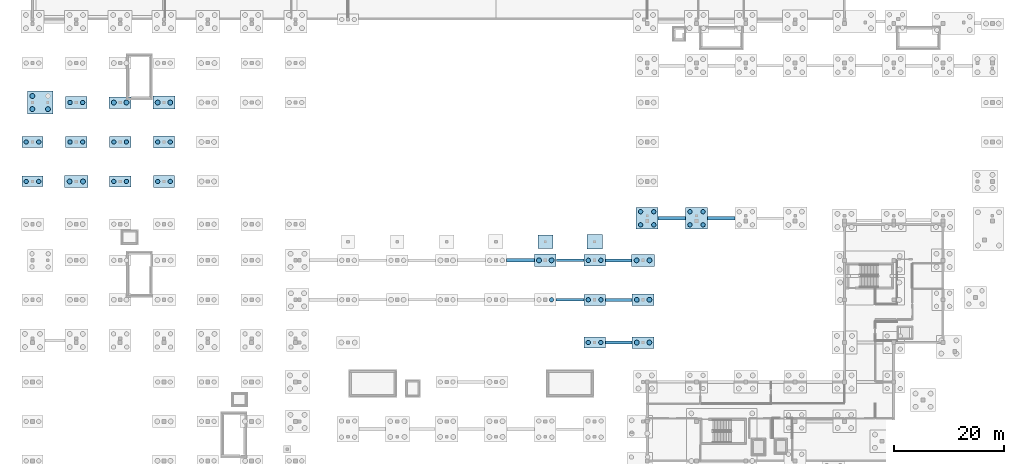
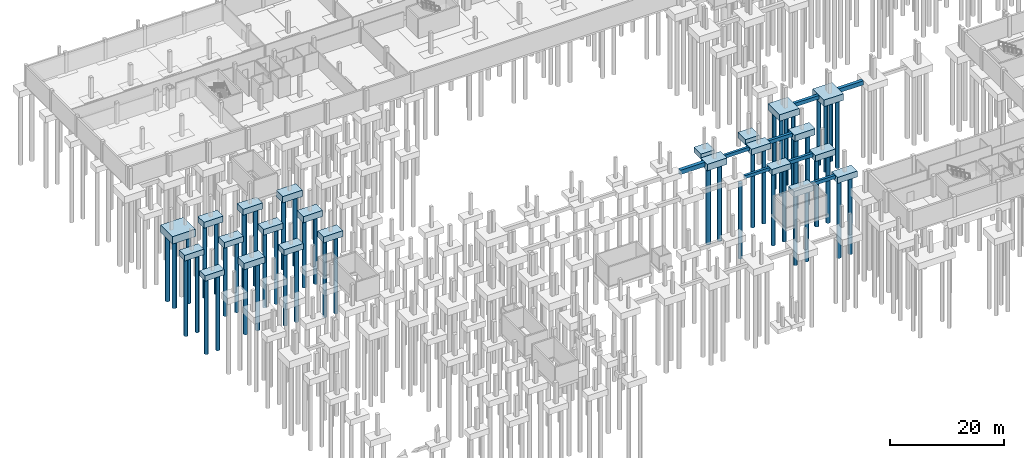
# One storey, part 5 of 36: 48 piles, 31 footings.
"""IFC4 building model written with IfcOpenShell, lengths in metres."""

from ifc_helpers import new_model, si_unit, direction, frame, origin, origin_2d, place, context, subcontext, project, spatial, rectangle, circle, extrude, material, layer, layer_set, material_profile, profile_set, type_object, element, save


model = new_model("IFC4")

# Units and contexts
model_context = context("Model", 3, precision=1e-05, world=origin(), true_north=direction((0.0, 1.0)))
body_context = subcontext(model_context, "Body", "Model", "MODEL_VIEW")
ifc_project = project(units=[si_unit("LENGTHUNIT", "METRE"), si_unit("AREAUNIT", "SQUARE_METRE"), si_unit("VOLUMEUNIT", "CUBIC_METRE"), si_unit("PLANEANGLEUNIT", "RADIAN"), si_unit("MASSUNIT", "GRAM", prefix="KILO")], contexts=[model_context])

# Site, building, storey
site_placement = place(None, origin())
site = spatial("IfcSite", under=ifc_project, at=site_placement, CompositionType="ELEMENT")
building_placement = place(site_placement, origin())
building = spatial("IfcBuilding", under=site, at=building_placement, Name="Chiffa Square Polytechnic", CompositionType="ELEMENT")
storey_placement = place(building_placement, frame((0.0, 0.0, -4.5)))
storey = spatial("IfcBuildingStorey", under=building, at=storey_placement, Name="B1", CompositionType="ELEMENT", Elevation=-4.5)

# Footings
ifc_material = material(Name="Concrete C35/45", Category="concrete")
ifc_layer_1 = layer(ifc_material, 0.68505859375, Name="Concrete C35/45")
ifc_layer_set_1 = layer_set([ifc_layer_1], Name="Concrete C35/45")
footing_type_1 = type_object("IfcFootingType", Name="FTG-BEAM-480X685", PredefinedType="FOOTING_BEAM", material=ifc_layer_set_1)
footing_1_placement = place(storey_placement, frame((98.10009765625, 43.800048828125, -0.685546875), z_axis=(0.0, 0.0, 1.0), x_axis=(1.0, 0.0, 0.0)))
element("IfcFooting", 1, at=footing_1_placement, inside=storey, type_object=footing_type_1, Name="Footing tie beam FB-B1-026", PredefinedType="FOOTING_BEAM", context=body_context, shape_type="SweptSolid", body=[
    extrude(rectangle(XDim=5.090087890625, YDim=0.47998046875, at=origin_2d()), origin(), (0.0, 0.0, 1.0), 0.68505859375),
])
ifc_layer_2 = layer(ifc_material, 0.7099609375, Name="Concrete C35/45")
ifc_layer_set_2 = layer_set([ifc_layer_2], Name="Concrete C35/45")
footing_type_2 = type_object("IfcFootingType", Name="FTG-BEAM-500X710", PredefinedType="FOOTING_BEAM", material=ifc_layer_set_2)
footing_2_placement = place(storey_placement, frame((98.125, 51.0, -0.7099609375), z_axis=(0.0, 0.0, 1.0), x_axis=(1.0, 0.0, 0.0)))
element("IfcFooting", 2, at=footing_2_placement, inside=storey, type_object=footing_type_2, Name="Footing tie beam FB-B1-027", PredefinedType="FOOTING_BEAM", context=body_context, shape_type="SweptSolid", body=[
    extrude(rectangle(XDim=5.0400390625, YDim=0.5, at=origin_2d()), origin(), (0.0, 0.0, 1.0), 0.7099609375),
])
ifc_layer_3 = layer(ifc_material, 0.735107421875, Name="Concrete C35/45")
ifc_layer_set_3 = layer_set([ifc_layer_3], Name="Concrete C35/45")
footing_type_3 = type_object("IfcFootingType", Name="FTG-BEAM-520X735", PredefinedType="FOOTING_BEAM", material=ifc_layer_set_3)
footing_3_placement = place(storey_placement, frame((107.0, 36.0, -0.734375), z_axis=(0.0, 0.0, 1.0), x_axis=(1.0, 0.0, 0.0)))
element("IfcFooting", 3, at=footing_3_placement, inside=storey, type_object=footing_type_3, Name="Footing tie beam FB-B1-028", PredefinedType="FOOTING_BEAM", context=body_context, shape_type="SweptSolid", body=[
    extrude(rectangle(XDim=4.889892578125, YDim=0.52001953125, at=origin_2d()), origin(), (0.0, 0.0, 1.0), 0.735107421875),
])
ifc_layer_4 = layer(ifc_material, 0.760009765625, Name="Concrete C35/45")
ifc_layer_set_4 = layer_set([ifc_layer_4], Name="Concrete C35/45")
footing_type_4 = type_object("IfcFootingType", Name="FTG-BEAM-540X760", PredefinedType="FOOTING_BEAM", material=ifc_layer_set_4)
footing_4_placement = place(storey_placement, frame((106.988037109375, 43.800048828125, -0.759765625), z_axis=(0.0, 0.0, 1.0), x_axis=(1.0, 0.0, 0.0)))
element("IfcFooting", 4, at=footing_4_placement, inside=storey, type_object=footing_type_4, Name="Footing tie beam FB-B1-029", PredefinedType="FOOTING_BEAM", context=body_context, shape_type="SweptSolid", body=[
    extrude(rectangle(XDim=4.864990234375, YDim=0.5400390625, at=origin_2d()), origin(), (0.0, 0.0, 1.0), 0.760009765625),
])
ifc_layer_5 = layer(ifc_material, 0.784912109375, Name="Concrete C35/45")
ifc_layer_set_5 = layer_set([ifc_layer_5], Name="Concrete C35/45")
footing_type_5 = type_object("IfcFootingType", Name="FTG-BEAM-560X785", PredefinedType="FOOTING_BEAM", material=ifc_layer_set_5)
footing_5_placement = place(storey_placement, frame((106.962890625, 51.0, -0.78564453125), z_axis=(0.0, 0.0, 1.0), x_axis=(1.0, 0.0, 0.0)))
element("IfcFooting", 5, at=footing_5_placement, inside=storey, type_object=footing_type_5, Name="Footing tie beam FB-B1-030", PredefinedType="FOOTING_BEAM", context=body_context, shape_type="SweptSolid", body=[
    extrude(rectangle(XDim=4.81494140625, YDim=0.56005859375, at=origin_2d()), origin(), (0.0, 0.0, 1.0), 0.784912109375),
])
ifc_layer_6 = layer(ifc_material, 0.81005859375, Name="Concrete C35/45")
ifc_layer_set_6 = layer_set([ifc_layer_6], Name="Concrete C35/45")
footing_type_6 = type_object("IfcFootingType", Name="FTG-BEAM-580X810", PredefinedType="FOOTING_BEAM", material=ifc_layer_set_6)
footing_6_placement = place(storey_placement, frame((116.699951171875, 58.675048828125, -0.81005859375), z_axis=(0.0, 0.0, 1.0), x_axis=(1.0, 0.0, 0.0)))
element("IfcFooting", 6, at=footing_6_placement, inside=storey, type_object=footing_type_6, Name="Footing tie beam FB-B1-031", PredefinedType="FOOTING_BEAM", context=body_context, shape_type="SweptSolid", body=[
    extrude(rectangle(XDim=4.989990234375, YDim=0.580078125, at=origin_2d()), origin(), (0.0, 0.0, 1.0), 0.81005859375),
])
ifc_layer_7 = layer(ifc_material, 0.885009765625, Name="Concrete C35/45")
ifc_layer_set_7 = layer_set([ifc_layer_7], Name="Concrete C35/45")
footing_type_7 = type_object("IfcFootingType", Name="FTG-BEAM-640X885", PredefinedType="FOOTING_BEAM", material=ifc_layer_set_7)
footing_7_placement = place(storey_placement, frame((125.699951171875, 58.675048828125, -0.88427734375), z_axis=(0.0, 0.0, 1.0), x_axis=(1.0, 0.0, 0.0)))
element("IfcFooting", 7, at=footing_7_placement, inside=storey, type_object=footing_type_7, Name="Footing tie beam FB-B1-034", PredefinedType="FOOTING_BEAM", context=body_context, shape_type="SweptSolid", body=[
    extrude(rectangle(XDim=4.989990234375, YDim=0.639892578125, at=origin_2d()), origin(), (0.0, 0.0, 1.0), 0.885009765625),
])
ifc_layer_8 = layer(ifc_material, 0.93505859375, Name="Concrete C35/45")
ifc_layer_set_8 = layer_set([ifc_layer_8], Name="Concrete C35/45")
footing_type_8 = type_object("IfcFootingType", Name="FTG-BEAM-680X935", PredefinedType="FOOTING_BEAM", material=ifc_layer_set_8)
footing_8_placement = place(storey_placement, frame((89.074951171875, 51.0, -0.935546875), z_axis=(0.0, 0.0, 1.0), x_axis=(1.0, 0.0, 0.0)))
element("IfcFooting", 8, at=footing_8_placement, inside=storey, type_object=footing_type_8, Name="Footing tie beam FB-B1-024", PredefinedType="FOOTING_BEAM", context=body_context, shape_type="SweptSolid", body=[
    extrude(rectangle(XDim=5.0400390625, YDim=0.679931640625, at=origin_2d()), origin(), (0.0, 0.0, 1.0), 0.93505859375),
])
ifc_layer_9 = layer(ifc_material, 1.1201171875, Name="Concrete C35/45")
ifc_layer_set_9 = layer_set([ifc_layer_9], Name="Concrete C35/45")
footing_type_9 = type_object("IfcFootingType", Name="FTG-PAD-2750X2500X1120", PredefinedType="PAD_FOOTING", material=ifc_layer_set_9)
footing_9_placement = place(storey_placement, frame((93.60009765625, 54.39990234375, -1.1201171875), z_axis=(0.0, 0.0, 1.0), x_axis=(1.0, 0.0, 0.0)))
element("IfcFooting", 9, at=footing_9_placement, inside=storey, type_object=footing_type_9, Name="Pad footing PF-B1-05", PredefinedType="PAD_FOOTING", context=body_context, shape_type="SweptSolid", body=[
    extrude(rectangle(XDim=2.75, YDim=2.5, at=origin_2d()), origin(), (0.0, 0.0, 1.0), 1.1201171875),
])
ifc_layer_10 = layer(ifc_material, 1.14990234375, Name="Concrete C35/45")
ifc_layer_set_10 = layer_set([ifc_layer_10], Name="Concrete C35/45")
footing_type_10 = type_object("IfcFootingType", Name="FTG-PAD-2850X2650X1150", PredefinedType="PAD_FOOTING", material=ifc_layer_set_10)
footing_10_placement = place(storey_placement, frame((102.60009765625, 54.39990234375, -1.14990234375), z_axis=(0.0, 0.0, 1.0), x_axis=(1.0, 0.0, 0.0)))
element("IfcFooting", 10, at=footing_10_placement, inside=storey, type_object=footing_type_10, Name="Pad footing PF-B1-06", PredefinedType="PAD_FOOTING", context=body_context, shape_type="SweptSolid", body=[
    extrude(rectangle(XDim=2.85009765625, YDim=2.64990234375, at=origin_2d()), origin(), (0.0, 0.0, 1.0), 1.14990234375),
])
ifc_layer_11 = layer(ifc_material, 1.199951171875, Name="Concrete C35/45")
ifc_layer_set_11 = layer_set([ifc_layer_11], Name="Concrete C35/45")
footing_type_11 = type_object("IfcFootingType", Name="FTG-PC-3900X1900X1200", PredefinedType="PILE_CAP", material=ifc_layer_set_11)
footing_11_placement = place(storey_placement, frame((0.0, 65.39990234375, -1.2001953125), z_axis=(0.0, 0.0, 1.0), x_axis=(1.0, 0.0, 0.0)))
element("IfcFooting", 11, at=footing_11_placement, inside=storey, type_object=footing_type_11, Name="Pile cap PC-B1-188", PredefinedType="PILE_CAP", context=body_context, shape_type="SweptSolid", body=[
    extrude(rectangle(XDim=3.89990234375, YDim=1.89990234375, at=origin_2d()), origin(), (0.0, 0.0, 1.0), 1.199951171875),
])
ifc_layer_12 = layer(ifc_material, 1.199951171875, Name="Concrete C35/45")
ifc_layer_set_12 = layer_set([ifc_layer_12], Name="Concrete C35/45")
footing_type_12 = type_object("IfcFootingType", Name="FTG-PC-3900X1950X1200", PredefinedType="PILE_CAP", material=ifc_layer_set_12)
for number, where, z_axis, x_axis, name in (
    (12, (102.60009765625, 36.0, -1.2001953125), (0.0, 0.0, 1.0), (1.0, 0.0, 0.0), "Pile cap PC-B1-106"),
    (13, (0.0, 72.60009765625, -1.2001953125), (0.0, 0.0, 1.0), (1.0, 0.0, 0.0), "Pile cap PC-B1-189"),
):
    element("IfcFooting", number, at=place(storey_placement, frame(where, z_axis=z_axis, x_axis=x_axis)), inside=storey, type_object=footing_type_12, Name=name, PredefinedType="PILE_CAP", context=body_context, shape_type="SweptSolid", body=[
        extrude(rectangle(XDim=3.89990234375, YDim=1.949951171875, at=origin_2d()), origin(), (0.0, 0.0, 1.0), 1.199951171875),
    ])
ifc_layer_13 = layer(ifc_material, 1.25, Name="Concrete C35/45")
ifc_layer_set_13 = layer_set([ifc_layer_13], Name="Concrete C35/45")
footing_type_13 = type_object("IfcFootingType", Name="FTG-PC-3900X2000X1250", PredefinedType="PILE_CAP", material=ifc_layer_set_13)
for number, where, z_axis, x_axis, name in (
    (14, (102.60009765625, 43.800048828125, -1.25), (0.0, 0.0, 1.0), (1.0, 0.0, 0.0), "Pile cap PC-B1-107"),
    (15, (16.0, 65.39990234375, -1.25), (0.0, 0.0, 1.0), (1.0, 0.0, 0.0), "Pile cap PC-B1-202"),
):
    element("IfcFooting", number, at=place(storey_placement, frame(where, z_axis=z_axis, x_axis=x_axis)), inside=storey, type_object=footing_type_13, Name=name, PredefinedType="PILE_CAP", context=body_context, shape_type="SweptSolid", body=[
        extrude(rectangle(XDim=3.89990234375, YDim=2.0, at=origin_2d()), origin(), (0.0, 0.0, 1.0), 1.25),
    ])
ifc_layer_14 = layer(ifc_material, 1.219970703125, Name="Concrete C35/45")
ifc_layer_set_14 = layer_set([ifc_layer_14], Name="Concrete C35/45")
footing_type_14 = type_object("IfcFootingType", Name="FTG-PC-3900X2050X1220", PredefinedType="PILE_CAP", material=ifc_layer_set_14)
footing_12_placement = place(storey_placement, frame((8.0, 72.60009765625, -1.22021484375), z_axis=(0.0, 0.0, 1.0), x_axis=(1.0, 0.0, 0.0)))
element("IfcFooting", 16, at=footing_12_placement, inside=storey, type_object=footing_type_14, Name="Pile cap PC-B1-196", PredefinedType="PILE_CAP", context=body_context, shape_type="SweptSolid", body=[
    extrude(rectangle(XDim=3.89990234375, YDim=2.050048828125, at=origin_2d()), origin(), (0.0, 0.0, 1.0), 1.219970703125),
])
ifc_layer_15 = layer(ifc_material, 1.25, Name="Concrete C35/45")
ifc_layer_set_15 = layer_set([ifc_layer_15], Name="Concrete C35/45")
footing_type_15 = type_object("IfcFootingType", Name="FTG-PC-3900X2050X1250", PredefinedType="PILE_CAP", material=ifc_layer_set_15)
for number, where, z_axis, x_axis, name in (
    (17, (102.60009765625, 51.0, -1.25), (0.0, 0.0, 1.0), (1.0, 0.0, 0.0), "Pile cap PC-B1-108"),
    (18, (16.0, 72.60009765625, -1.25), (0.0, 0.0, 1.0), (1.0, 0.0, 0.0), "Pile cap PC-B1-203"),
):
    element("IfcFooting", number, at=place(storey_placement, frame(where, z_axis=z_axis, x_axis=x_axis)), inside=storey, type_object=footing_type_15, Name=name, PredefinedType="PILE_CAP", context=body_context, shape_type="SweptSolid", body=[
        extrude(rectangle(XDim=3.89990234375, YDim=2.050048828125, at=origin_2d()), origin(), (0.0, 0.0, 1.0), 1.25),
    ])
ifc_layer_16 = layer(ifc_material, 1.280029296875, Name="Concrete C35/45")
ifc_layer_set_16 = layer_set([ifc_layer_16], Name="Concrete C35/45")
footing_type_16 = type_object("IfcFootingType", Name="FTG-PC-3900X2150X1280", PredefinedType="PILE_CAP", material=ifc_layer_set_16)
for number, where, z_axis, x_axis, name in (
    (19, (8.0, 79.800048828125, -1.27978515625), (0.0, 0.0, 1.0), (1.0, 0.0, 0.0), "Pile cap PC-B1-197"),
    (20, (24.0, 65.39990234375, -1.27978515625), (0.0, 0.0, 1.0), (1.0, 0.0, 0.0), "Pile cap PC-B1-209"),
):
    element("IfcFooting", number, at=place(storey_placement, frame(where, z_axis=z_axis, x_axis=x_axis)), inside=storey, type_object=footing_type_16, Name=name, PredefinedType="PILE_CAP", context=body_context, shape_type="SweptSolid", body=[
        extrude(rectangle(XDim=3.89990234375, YDim=2.14990234375, at=origin_2d()), origin(), (0.0, 0.0, 1.0), 1.280029296875),
    ])
ifc_layer_17 = layer(ifc_material, 1.320068359375, Name="Concrete C35/45")
ifc_layer_set_17 = layer_set([ifc_layer_17], Name="Concrete C35/45")
footing_type_17 = type_object("IfcFootingType", Name="FTG-PC-3900X2250X1320", PredefinedType="PILE_CAP", material=ifc_layer_set_17)
footing_13_placement = place(storey_placement, frame((24.0, 72.60009765625, -1.31982421875), z_axis=(0.0, 0.0, 1.0), x_axis=(1.0, 0.0, 0.0)))
element("IfcFooting", 21, at=footing_13_placement, inside=storey, type_object=footing_type_17, Name="Pile cap PC-B1-210", PredefinedType="PILE_CAP", context=body_context, shape_type="SweptSolid", body=[
    extrude(rectangle(XDim=3.89990234375, YDim=2.25, at=origin_2d()), origin(), (0.0, 0.0, 1.0), 1.320068359375),
])
ifc_layer_18 = layer(ifc_material, 1.300048828125, Name="Concrete C35/45")
ifc_layer_set_18 = layer_set([ifc_layer_18], Name="Concrete C35/45")
footing_type_18 = type_object("IfcFootingType", Name="FTG-PC-4000X2100X1300", PredefinedType="PILE_CAP", material=ifc_layer_set_18)
for number, where, z_axis, x_axis, name in (
    (22, (111.449951171875, 36.0, -1.2998046875), (0.0, 0.0, 1.0), (1.0, 0.0, 0.0), "Pile cap PC-B1-109"),
    (23, (16.0, 79.800048828125, -1.2998046875), (0.0, 0.0, 1.0), (1.0, 0.0, 0.0), "Pile cap PC-B1-204"),
):
    element("IfcFooting", number, at=place(storey_placement, frame(where, z_axis=z_axis, x_axis=x_axis)), inside=storey, type_object=footing_type_18, Name=name, PredefinedType="PILE_CAP", context=body_context, shape_type="SweptSolid", body=[
        extrude(rectangle(XDim=4.0, YDim=2.10009765625, at=origin_2d()), origin(), (0.0, 0.0, 1.0), 1.300048828125),
    ])
ifc_layer_19 = layer(ifc_material, 1.3798828125, Name="Concrete C35/45")
ifc_layer_set_19 = layer_set([ifc_layer_19], Name="Concrete C35/45")
footing_type_19 = type_object("IfcFootingType", Name="FTG-PC-4000X2300X1380", PredefinedType="PILE_CAP", material=ifc_layer_set_19)
for number, where, z_axis, x_axis, name in (
    (24, (93.60009765625, 51.0, -1.3798828125), (0.0, 0.0, 1.0), (1.0, 0.0, 0.0), "Pile cap PC-B1-104"),
    (25, (24.0, 79.800048828125, -1.3798828125), (0.0, 0.0, 1.0), (1.0, 0.0, 0.0), "Pile cap PC-B1-211"),
):
    element("IfcFooting", number, at=place(storey_placement, frame(where, z_axis=z_axis, x_axis=x_axis)), inside=storey, type_object=footing_type_19, Name=name, PredefinedType="PILE_CAP", context=body_context, shape_type="SweptSolid", body=[
        extrude(rectangle(XDim=4.0, YDim=2.300048828125, at=origin_2d()), origin(), (0.0, 0.0, 1.0), 1.3798828125),
    ])
ifc_layer_20 = layer(ifc_material, 1.39990234375, Name="Concrete C35/45")
ifc_layer_set_20 = layer_set([ifc_layer_20], Name="Concrete C35/45")
footing_type_20 = type_object("IfcFootingType", Name="FTG-PC-4000X4000X1400", PredefinedType="PILE_CAP", material=ifc_layer_set_20)
footing_14_placement = place(storey_placement, frame((112.199951171875, 58.675048828125, -1.39990234375), z_axis=(0.0, 0.0, 1.0), x_axis=(1.0, 0.0, 0.0)))
element("IfcFooting", 26, at=footing_14_placement, inside=storey, type_object=footing_type_20, Name="Pile cap PC-B1-024", PredefinedType="PILE_CAP", context=body_context, shape_type="SweptSolid", body=[
    extrude(rectangle(XDim=4.0, YDim=4.0, at=origin_2d()), origin(), (0.0, 0.0, 1.0), 1.39990234375),
])
ifc_layer_21 = layer(ifc_material, 1.419921875, Name="Concrete C35/45")
ifc_layer_set_21 = layer_set([ifc_layer_21], Name="Concrete C35/45")
footing_type_21 = type_object("IfcFootingType", Name="FTG-PC-4000X4000X1420", PredefinedType="PILE_CAP", material=ifc_layer_set_21)
footing_15_placement = place(storey_placement, frame((121.199951171875, 58.675048828125, -1.419921875), z_axis=(0.0, 0.0, 1.0), x_axis=(1.0, 0.0, 0.0)))
element("IfcFooting", 27, at=footing_15_placement, inside=storey, type_object=footing_type_21, Name="Pile cap PC-B1-030", PredefinedType="PILE_CAP", context=body_context, shape_type="SweptSolid", body=[
    extrude(rectangle(XDim=4.0, YDim=4.0, at=origin_2d()), origin(), (0.0, 0.0, 1.0), 1.419921875),
])
ifc_layer_22 = layer(ifc_material, 1.300048828125, Name="Concrete C35/45")
ifc_layer_set_22 = layer_set([ifc_layer_22], Name="Concrete C35/45")
footing_type_22 = type_object("IfcFootingType", Name="FTG-PC-4050X2150X1300", PredefinedType="PILE_CAP", material=ifc_layer_set_22)
footing_16_placement = place(storey_placement, frame((111.449951171875, 43.800048828125, -1.2998046875), z_axis=(0.0, 0.0, 1.0), x_axis=(1.0, 0.0, 0.0)))
element("IfcFooting", 28, at=footing_16_placement, inside=storey, type_object=footing_type_22, Name="Pile cap PC-B1-110", PredefinedType="PILE_CAP", context=body_context, shape_type="SweptSolid", body=[
    extrude(rectangle(XDim=4.050048828125, YDim=2.14990234375, at=origin_2d()), origin(), (0.0, 0.0, 1.0), 1.300048828125),
])
ifc_layer_23 = layer(ifc_material, 1.35009765625, Name="Concrete C35/45")
ifc_layer_set_23 = layer_set([ifc_layer_23], Name="Concrete C35/45")
footing_type_23 = type_object("IfcFootingType", Name="FTG-PC-4150X2200X1350", PredefinedType="PILE_CAP", material=ifc_layer_set_23)
footing_17_placement = place(storey_placement, frame((111.449951171875, 51.0, -1.35009765625), z_axis=(0.0, 0.0, 1.0), x_axis=(1.0, 0.0, 0.0)))
element("IfcFooting", 29, at=footing_17_placement, inside=storey, type_object=footing_type_23, Name="Pile cap PC-B1-111", PredefinedType="PILE_CAP", context=body_context, shape_type="SweptSolid", body=[
    extrude(rectangle(XDim=4.14990234375, YDim=2.199951171875, at=origin_2d()), origin(), (0.0, 0.0, 1.0), 1.35009765625),
])
ifc_layer_24 = layer(ifc_material, 1.35009765625, Name="Concrete C35/45")
ifc_layer_set_24 = layer_set([ifc_layer_24], Name="Concrete C35/45")
footing_type_24 = type_object("IfcFootingType", Name="FTG-PC-4250X2250X1350", PredefinedType="PILE_CAP", material=ifc_layer_set_24)
footing_18_placement = place(storey_placement, frame((8.0, 65.39990234375, -1.35009765625), z_axis=(0.0, 0.0, 1.0), x_axis=(1.0, 0.0, 0.0)))
element("IfcFooting", 30, at=footing_18_placement, inside=storey, type_object=footing_type_24, Name="Pile cap PC-B1-195", PredefinedType="PILE_CAP", context=body_context, shape_type="SweptSolid", body=[
    extrude(rectangle(XDim=4.25, YDim=2.25, at=origin_2d()), origin(), (0.0, 0.0, 1.0), 1.35009765625),
])
ifc_layer_25 = layer(ifc_material, 1.60009765625, Name="Concrete C35/45")
ifc_layer_set_25 = layer_set([ifc_layer_25], Name="Concrete C35/45")
footing_type_25 = type_object("IfcFootingType", Name="FTG-PC-4650X4200X1600", PredefinedType="PILE_CAP", material=ifc_layer_set_25)
footing_19_placement = place(storey_placement, frame((1.39990234375, 79.800048828125, -1.60009765625), z_axis=(0.0, 0.0, 1.0), x_axis=(1.0, 0.0, 0.0)))
element("IfcFooting", 31, at=footing_19_placement, inside=storey, type_object=footing_type_25, Name="Pile cap PC-B1-190", PredefinedType="PILE_CAP", context=body_context, shape_type="SweptSolid", body=[
    extrude(rectangle(XDim=4.64990234375, YDim=4.199951171875, at=origin_2d()), origin(), (0.0, 0.0, 1.0), 1.60009765625),
])

# Piles
ifc_material_profile_1 = material_profile(ifc_material, circle(Radius=0.39990234375, at=origin_2d()), Name="PILE D800")
ifc_profile_set_1 = profile_set([ifc_material_profile_1], Name="Concrete C35/45")
pile_type_1 = type_object("IfcPileType", Name="PILE-D800", PredefinedType="BORED", material=ifc_profile_set_1)
for number, where, z_axis, x_axis, name in (
    (32, (111.0, 57.47509765625, -1.300048828125), (0.0, 0.0, -1.0), (1.0, 0.0, 0.0), "Bored pile PL-B1-1110-0575-1"),
    (33, (113.39990234375, 57.47509765625, -1.300048828125), (0.0, 0.0, -1.0), (1.0, 0.0, 0.0), "Bored pile PL-B1-1134-0575-2"),
    (34, (111.0, 59.875, -1.300048828125), (0.0, 0.0, -1.0), (1.0, 0.0, 0.0), "Bored pile PL-B1-1110-0599-3"),
    (35, (113.39990234375, 59.875, -1.300048828125), (0.0, 0.0, -1.0), (1.0, 0.0, 0.0), "Bored pile PL-B1-1134-0599-4"),
):
    element("IfcPile", number, at=place(storey_placement, frame(where, z_axis=z_axis, x_axis=x_axis)), inside=storey, type_object=pile_type_1, Name=name, PredefinedType="BORED", context=body_context, shape_type="SweptSolid", body=[
        extrude(circle(Radius=0.39990234375, at=origin_2d()), origin(), (0.0, 0.0, 1.0), 16.699951171875),
    ])
for number, where, z_axis, x_axis, name in (
    (36, (120.0, 57.47509765625, -1.320068359375), (0.0, 0.0, -1.0), (1.0, 0.0, 0.0), "Bored pile PL-B1-1200-0575-1"),
    (37, (122.39990234375, 57.47509765625, -1.320068359375), (0.0, 0.0, -1.0), (1.0, 0.0, 0.0), "Bored pile PL-B1-1224-0575-2"),
    (38, (120.0, 59.875, -1.320068359375), (0.0, 0.0, -1.0), (1.0, 0.0, 0.0), "Bored pile PL-B1-1200-0599-3"),
    (39, (122.39990234375, 59.875, -1.320068359375), (0.0, 0.0, -1.0), (1.0, 0.0, 0.0), "Bored pile PL-B1-1224-0599-4"),
):
    element("IfcPile", number, at=place(storey_placement, frame(where, z_axis=z_axis, x_axis=x_axis)), inside=storey, type_object=pile_type_1, Name=name, PredefinedType="BORED", context=body_context, shape_type="SweptSolid", body=[
        extrude(circle(Radius=0.39990234375, at=origin_2d()), origin(), (0.0, 0.0, 1.0), 14.679931640625),
    ])
pile_placement = place(storey_placement, frame((94.75, 43.800048828125, -1.219970703125), z_axis=(0.0, 0.0, -1.0), x_axis=(1.0, 0.0, 0.0)))
element("IfcPile", 40, at=pile_placement, inside=storey, type_object=pile_type_1, Name="Bored pile PL-B1-0948-0438-2", PredefinedType="BORED", context=body_context, shape_type="SweptSolid", body=[
    extrude(circle(Radius=0.39990234375, at=origin_2d()), origin(), (0.0, 0.0, 1.0), 16.280029296875),
])
for number, where, z_axis, x_axis, name in (
    (41, (101.449951171875, 36.0, -1.10009765625), (0.0, 0.0, -1.0), (1.0, 0.0, 0.0), "Bored pile PL-B1-1014-0360-1"),
    (42, (103.75, 36.0, -1.10009765625), (0.0, 0.0, -1.0), (1.0, 0.0, 0.0), "Bored pile PL-B1-1038-0360-2"),
):
    element("IfcPile", number, at=place(storey_placement, frame(where, z_axis=z_axis, x_axis=x_axis)), inside=storey, type_object=pile_type_1, Name=name, PredefinedType="BORED", context=body_context, shape_type="SweptSolid", body=[
        extrude(circle(Radius=0.39990234375, at=origin_2d()), origin(), (0.0, 0.0, 1.0), 15.39990234375),
    ])
for number, where, z_axis, x_axis, name in (
    (43, (101.449951171875, 43.800048828125, -1.14990234375), (0.0, 0.0, -1.0), (1.0, 0.0, 0.0), "Bored pile PL-B1-1014-0438-1"),
    (44, (103.75, 43.800048828125, -1.14990234375), (0.0, 0.0, -1.0), (1.0, 0.0, 0.0), "Bored pile PL-B1-1038-0438-2"),
):
    element("IfcPile", number, at=place(storey_placement, frame(where, z_axis=z_axis, x_axis=x_axis)), inside=storey, type_object=pile_type_1, Name=name, PredefinedType="BORED", context=body_context, shape_type="SweptSolid", body=[
        extrude(circle(Radius=0.39990234375, at=origin_2d()), origin(), (0.0, 0.0, 1.0), 15.85009765625),
    ])
for number, where, z_axis, x_axis, name in (
    (45, (101.449951171875, 51.0, -1.14990234375), (0.0, 0.0, -1.0), (1.0, 0.0, 0.0), "Bored pile PL-B1-1014-0510-1"),
    (46, (103.75, 51.0, -1.14990234375), (0.0, 0.0, -1.0), (1.0, 0.0, 0.0), "Bored pile PL-B1-1038-0510-2"),
):
    element("IfcPile", number, at=place(storey_placement, frame(where, z_axis=z_axis, x_axis=x_axis)), inside=storey, type_object=pile_type_1, Name=name, PredefinedType="BORED", context=body_context, shape_type="SweptSolid", body=[
        extrude(circle(Radius=0.39990234375, at=origin_2d()), origin(), (0.0, 0.0, 1.0), 16.35009765625),
    ])
for number, where, z_axis, x_axis, name in (
    (47, (-1.14990234375, 65.39990234375, -1.10009765625), (0.0, 0.0, -1.0), (1.0, 0.0, 0.0), "Bored pile PL-B1--012-0654-1"),
    (48, (1.14990234375, 65.39990234375, -1.10009765625), (0.0, 0.0, -1.0), (1.0, 0.0, 0.0), "Bored pile PL-B1-0012-0654-2"),
):
    element("IfcPile", number, at=place(storey_placement, frame(where, z_axis=z_axis, x_axis=x_axis)), inside=storey, type_object=pile_type_1, Name=name, PredefinedType="BORED", context=body_context, shape_type="SweptSolid", body=[
        extrude(circle(Radius=0.39990234375, at=origin_2d()), origin(), (0.0, 0.0, 1.0), 16.39990234375),
    ])
for number, where, z_axis, x_axis, name in (
    (49, (-1.14990234375, 72.60009765625, -1.10009765625), (0.0, 0.0, -1.0), (1.0, 0.0, 0.0), "Bored pile PL-B1--012-0726-1"),
    (50, (1.14990234375, 72.60009765625, -1.10009765625), (0.0, 0.0, -1.0), (1.0, 0.0, 0.0), "Bored pile PL-B1-0012-0726-2"),
):
    element("IfcPile", number, at=place(storey_placement, frame(where, z_axis=z_axis, x_axis=x_axis)), inside=storey, type_object=pile_type_1, Name=name, PredefinedType="BORED", context=body_context, shape_type="SweptSolid", body=[
        extrude(circle(Radius=0.39990234375, at=origin_2d()), origin(), (0.0, 0.0, 1.0), 16.89990234375),
    ])
for number, where, z_axis, x_axis, name in (
    (51, (6.85009765625, 72.60009765625, -1.1201171875), (0.0, 0.0, -1.0), (1.0, 0.0, 0.0), "Bored pile PL-B1-0068-0726-1"),
    (52, (9.14990234375, 72.60009765625, -1.1201171875), (0.0, 0.0, -1.0), (1.0, 0.0, 0.0), "Bored pile PL-B1-0092-0726-2"),
):
    element("IfcPile", number, at=place(storey_placement, frame(where, z_axis=z_axis, x_axis=x_axis)), inside=storey, type_object=pile_type_1, Name=name, PredefinedType="BORED", context=body_context, shape_type="SweptSolid", body=[
        extrude(circle(Radius=0.39990234375, at=origin_2d()), origin(), (0.0, 0.0, 1.0), 15.3798828125),
    ])
for number, where, z_axis, x_axis, name in (
    (53, (6.85009765625, 79.800048828125, -1.179931640625), (0.0, 0.0, -1.0), (1.0, 0.0, 0.0), "Bored pile PL-B1-0068-0798-1"),
    (54, (9.14990234375, 79.800048828125, -1.179931640625), (0.0, 0.0, -1.0), (1.0, 0.0, 0.0), "Bored pile PL-B1-0092-0798-2"),
):
    element("IfcPile", number, at=place(storey_placement, frame(where, z_axis=z_axis, x_axis=x_axis)), inside=storey, type_object=pile_type_1, Name=name, PredefinedType="BORED", context=body_context, shape_type="SweptSolid", body=[
        extrude(circle(Radius=0.39990234375, at=origin_2d()), origin(), (0.0, 0.0, 1.0), 15.820068359375),
    ])
for number, where, z_axis, x_axis, name in (
    (55, (14.85009765625, 65.39990234375, -1.14990234375), (0.0, 0.0, -1.0), (1.0, 0.0, 0.0), "Bored pile PL-B1-0148-0654-1"),
    (56, (17.14990234375, 65.39990234375, -1.14990234375), (0.0, 0.0, -1.0), (1.0, 0.0, 0.0), "Bored pile PL-B1-0172-0654-2"),
):
    element("IfcPile", number, at=place(storey_placement, frame(where, z_axis=z_axis, x_axis=x_axis)), inside=storey, type_object=pile_type_1, Name=name, PredefinedType="BORED", context=body_context, shape_type="SweptSolid", body=[
        extrude(circle(Radius=0.39990234375, at=origin_2d()), origin(), (0.0, 0.0, 1.0), 15.85009765625),
    ])
for number, where, z_axis, x_axis, name in (
    (57, (14.85009765625, 72.60009765625, -1.14990234375), (0.0, 0.0, -1.0), (1.0, 0.0, 0.0), "Bored pile PL-B1-0148-0726-1"),
    (58, (17.14990234375, 72.60009765625, -1.14990234375), (0.0, 0.0, -1.0), (1.0, 0.0, 0.0), "Bored pile PL-B1-0172-0726-2"),
):
    element("IfcPile", number, at=place(storey_placement, frame(where, z_axis=z_axis, x_axis=x_axis)), inside=storey, type_object=pile_type_1, Name=name, PredefinedType="BORED", context=body_context, shape_type="SweptSolid", body=[
        extrude(circle(Radius=0.39990234375, at=origin_2d()), origin(), (0.0, 0.0, 1.0), 16.35009765625),
    ])
for number, where, z_axis, x_axis, name in (
    (59, (22.85009765625, 65.39990234375, -1.179931640625), (0.0, 0.0, -1.0), (1.0, 0.0, 0.0), "Bored pile PL-B1-0228-0654-1"),
    (60, (25.14990234375, 65.39990234375, -1.179931640625), (0.0, 0.0, -1.0), (1.0, 0.0, 0.0), "Bored pile PL-B1-0252-0654-2"),
):
    element("IfcPile", number, at=place(storey_placement, frame(where, z_axis=z_axis, x_axis=x_axis)), inside=storey, type_object=pile_type_1, Name=name, PredefinedType="BORED", context=body_context, shape_type="SweptSolid", body=[
        extrude(circle(Radius=0.39990234375, at=origin_2d()), origin(), (0.0, 0.0, 1.0), 16.820068359375),
    ])
for number, where, z_axis, x_axis, name in (
    (61, (22.85009765625, 72.60009765625, -1.219970703125), (0.0, 0.0, -1.0), (1.0, 0.0, 0.0), "Bored pile PL-B1-0228-0726-1"),
    (62, (25.14990234375, 72.60009765625, -1.219970703125), (0.0, 0.0, -1.0), (1.0, 0.0, 0.0), "Bored pile PL-B1-0252-0726-2"),
):
    element("IfcPile", number, at=place(storey_placement, frame(where, z_axis=z_axis, x_axis=x_axis)), inside=storey, type_object=pile_type_1, Name=name, PredefinedType="BORED", context=body_context, shape_type="SweptSolid", body=[
        extrude(circle(Radius=0.39990234375, at=origin_2d()), origin(), (0.0, 0.0, 1.0), 14.780029296875),
    ])
ifc_material_profile_2 = material_profile(ifc_material, circle(Radius=0.449951171875, at=origin_2d()), Name="PILE D900")
ifc_profile_set_2 = profile_set([ifc_material_profile_2], Name="Concrete C35/45")
pile_type_2 = type_object("IfcPileType", Name="PILE-D900", PredefinedType="BORED", material=ifc_profile_set_2)
for number, where, z_axis, x_axis, name in (
    (63, (92.449951171875, 51.0, -1.280029296875), (0.0, 0.0, -1.0), (1.0, 0.0, 0.0), "Bored pile PL-B1-0924-0510-1"),
    (64, (94.75, 51.0, -1.280029296875), (0.0, 0.0, -1.0), (1.0, 0.0, 0.0), "Bored pile PL-B1-0948-0510-2"),
):
    element("IfcPile", number, at=place(storey_placement, frame(where, z_axis=z_axis, x_axis=x_axis)), inside=storey, type_object=pile_type_2, Name=name, PredefinedType="BORED", context=body_context, shape_type="SweptSolid", body=[
        extrude(circle(Radius=0.449951171875, at=origin_2d()), origin(), (0.0, 0.0, 1.0), 16.719970703125),
    ])
for number, where, z_axis, x_axis, name in (
    (65, (110.300048828125, 36.0, -1.199951171875), (0.0, 0.0, -1.0), (1.0, 0.0, 0.0), "Bored pile PL-B1-1103-0360-1"),
    (66, (112.60009765625, 36.0, -1.199951171875), (0.0, 0.0, -1.0), (1.0, 0.0, 0.0), "Bored pile PL-B1-1126-0360-2"),
):
    element("IfcPile", number, at=place(storey_placement, frame(where, z_axis=z_axis, x_axis=x_axis)), inside=storey, type_object=pile_type_2, Name=name, PredefinedType="BORED", context=body_context, shape_type="SweptSolid", body=[
        extrude(circle(Radius=0.449951171875, at=origin_2d()), origin(), (0.0, 0.0, 1.0), 16.800048828125),
    ])
for number, where, z_axis, x_axis, name in (
    (67, (110.300048828125, 43.800048828125, -1.199951171875), (0.0, 0.0, -1.0), (1.0, 0.0, 0.0), "Bored pile PL-B1-1103-0438-1"),
    (68, (112.60009765625, 43.800048828125, -1.199951171875), (0.0, 0.0, -1.0), (1.0, 0.0, 0.0), "Bored pile PL-B1-1126-0438-2"),
):
    element("IfcPile", number, at=place(storey_placement, frame(where, z_axis=z_axis, x_axis=x_axis)), inside=storey, type_object=pile_type_2, Name=name, PredefinedType="BORED", context=body_context, shape_type="SweptSolid", body=[
        extrude(circle(Radius=0.449951171875, at=origin_2d()), origin(), (0.0, 0.0, 1.0), 14.800048828125),
    ])
for number, where, z_axis, x_axis, name in (
    (69, (110.27490234375, 51.0, -1.25), (0.0, 0.0, -1.0), (1.0, 0.0, 0.0), "Bored pile PL-B1-1103-0510-1"),
    (70, (112.625, 51.0, -1.25), (0.0, 0.0, -1.0), (1.0, 0.0, 0.0), "Bored pile PL-B1-1126-0510-2"),
):
    element("IfcPile", number, at=place(storey_placement, frame(where, z_axis=z_axis, x_axis=x_axis)), inside=storey, type_object=pile_type_2, Name=name, PredefinedType="BORED", context=body_context, shape_type="SweptSolid", body=[
        extrude(circle(Radius=0.449951171875, at=origin_2d()), origin(), (0.0, 0.0, 1.0), 15.25),
    ])
for number, where, z_axis, x_axis, name in (
    (71, (-0.02490234375, 78.60009765625, -1.5), (0.0, 0.0, -1.0), (1.0, 0.0, 0.0), "Bored pile PL-B1-0000-0786-1"),
    (72, (2.824951171875, 78.60009765625, -1.5), (0.0, 0.0, -1.0), (1.0, 0.0, 0.0), "Bored pile PL-B1-0028-0786-2"),
    (73, (-0.02490234375, 81.0, -1.5), (0.0, 0.0, -1.0), (1.0, 0.0, 0.0), "Bored pile PL-B1-0000-0810-3"),
):
    element("IfcPile", number, at=place(storey_placement, frame(where, z_axis=z_axis, x_axis=x_axis)), inside=storey, type_object=pile_type_2, Name=name, PredefinedType="BORED", context=body_context, shape_type="SweptSolid", body=[
        extrude(circle(Radius=0.449951171875, at=origin_2d()), origin(), (0.0, 0.0, 1.0), 14.5),
    ])
for number, where, z_axis, x_axis, name in (
    (74, (6.77490234375, 65.39990234375, -1.25), (0.0, 0.0, -1.0), (1.0, 0.0, 0.0), "Bored pile PL-B1-0068-0654-1"),
    (75, (9.22509765625, 65.39990234375, -1.25), (0.0, 0.0, -1.0), (1.0, 0.0, 0.0), "Bored pile PL-B1-0092-0654-2"),
):
    element("IfcPile", number, at=place(storey_placement, frame(where, z_axis=z_axis, x_axis=x_axis)), inside=storey, type_object=pile_type_2, Name=name, PredefinedType="BORED", context=body_context, shape_type="SweptSolid", body=[
        extrude(circle(Radius=0.449951171875, at=origin_2d()), origin(), (0.0, 0.0, 1.0), 14.75),
    ])
for number, where, z_axis, x_axis, name in (
    (76, (14.85009765625, 79.800048828125, -1.199951171875), (0.0, 0.0, -1.0), (1.0, 0.0, 0.0), "Bored pile PL-B1-0148-0798-1"),
    (77, (17.14990234375, 79.800048828125, -1.199951171875), (0.0, 0.0, -1.0), (1.0, 0.0, 0.0), "Bored pile PL-B1-0172-0798-2"),
):
    element("IfcPile", number, at=place(storey_placement, frame(where, z_axis=z_axis, x_axis=x_axis)), inside=storey, type_object=pile_type_2, Name=name, PredefinedType="BORED", context=body_context, shape_type="SweptSolid", body=[
        extrude(circle(Radius=0.449951171875, at=origin_2d()), origin(), (0.0, 0.0, 1.0), 16.800048828125),
    ])
for number, where, z_axis, x_axis, name in (
    (78, (22.85009765625, 79.800048828125, -1.280029296875), (0.0, 0.0, -1.0), (1.0, 0.0, 0.0), "Bored pile PL-B1-0228-0798-1"),
    (79, (25.14990234375, 79.800048828125, -1.280029296875), (0.0, 0.0, -1.0), (1.0, 0.0, 0.0), "Bored pile PL-B1-0252-0798-2"),
):
    element("IfcPile", number, at=place(storey_placement, frame(where, z_axis=z_axis, x_axis=x_axis)), inside=storey, type_object=pile_type_2, Name=name, PredefinedType="BORED", context=body_context, shape_type="SweptSolid", body=[
        extrude(circle(Radius=0.449951171875, at=origin_2d()), origin(), (0.0, 0.0, 1.0), 15.219970703125),
    ])

save(model, "model.ifc")
